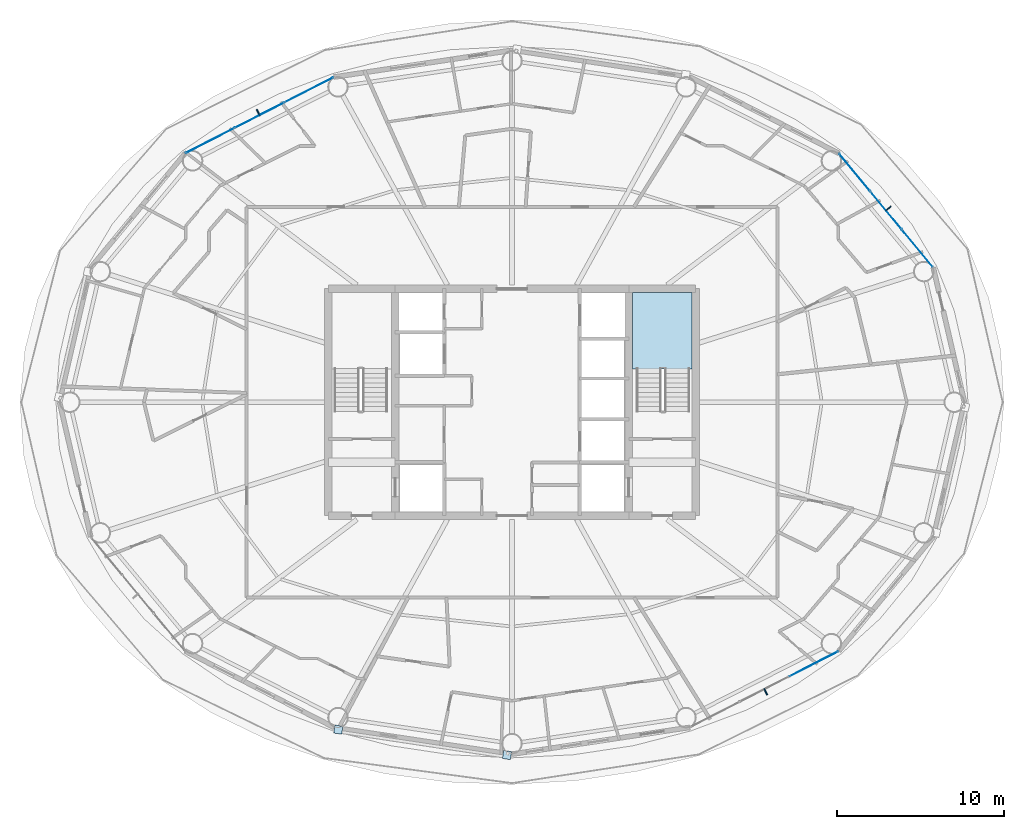
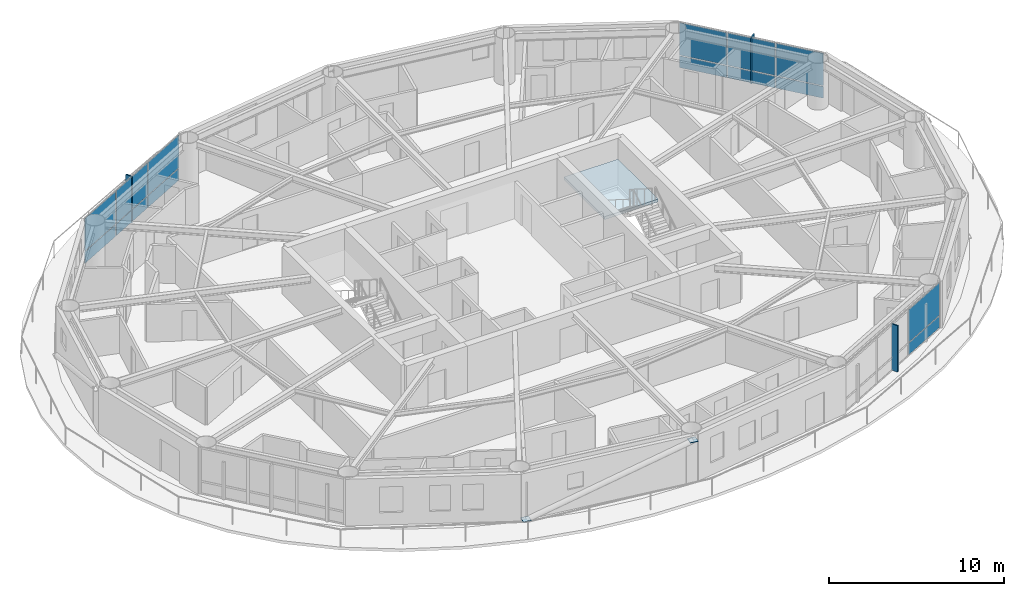
# One storey, part 19 of 28: 19 plates, 1 slab, 4 elements without a shape of their own.
"""IFC4 building model written with IfcOpenShell, lengths in metres."""

from ifc_helpers import new_model, si_unit, direction, frame, origin, origin_2d, place, context, subcontext, project, spatial, polyline, rectangle, outline, extrude, material, layer, layer_set, type_object, element, aggregate, save


model = new_model("IFC4")

# Units and contexts
model_context = context("Model", 3, precision=1e-05, world=origin(), true_north=direction((0.0, 1.0)))
body_context = subcontext(model_context, "Body", "Model", "MODEL_VIEW")
ifc_project = project(units=[si_unit("LENGTHUNIT", "METRE"), si_unit("AREAUNIT", "SQUARE_METRE"), si_unit("VOLUMEUNIT", "CUBIC_METRE"), si_unit("PLANEANGLEUNIT", "RADIAN"), si_unit("MASSUNIT", "GRAM", prefix="KILO")], contexts=[model_context])

# Site, building, storey
site_placement = place(None, origin())
site = spatial("IfcSite", under=ifc_project, at=site_placement, CompositionType="ELEMENT")
building_placement = place(site_placement, origin())
building = spatial("IfcBuilding", under=site, at=building_placement, Name="Sarneth Arch Tower", CompositionType="ELEMENT")
storey_placement = place(building_placement, frame((0.0, 0.0, 197.39990234375)))
storey = spatial("IfcBuildingStorey", under=building, at=storey_placement, Name="L50", CompositionType="ELEMENT", Elevation=197.39990234375)

# Curtain wall, plates
ifc_material_1 = material(Name="Anodised aluminium Type AA25 and solar-control low-e laminated IGU", Category="aluminium")
ifc_layer_1 = layer(ifc_material_1, 0.169921875)
ifc_layer_set_1 = layer_set([ifc_layer_1], Name="Anodised aluminium Type AA25 and solar-control low-e laminated IGU")
curtain_wall_type = type_object("IfcCurtainWallType", Name="CW-RES-MID", PredefinedType="NOTDEFINED", material=ifc_layer_set_1)
curtain_wall_1_placement = place(storey_placement, origin())
curtain_wall_1 = element("IfcCurtainWall", 1, at=curtain_wall_1_placement, inside=storey, type_object=curtain_wall_type, Name="L50 Unitised curtain wall facet 02", PredefinedType="NOTDEFINED")
ifc_material_2 = material(Name="Solar-control low-e laminated IGU", Category="glass")
ifc_layer_2 = layer(ifc_material_2, 0.028076171875)
ifc_layer_set_2 = layer_set([ifc_layer_2], Name="Solar-control low-e laminated IGU")
plate_type_1 = type_object("IfcPlateType", Name="CW-PANEL", PredefinedType="CURTAIN_PANEL", material=ifc_layer_set_2)
plate_1_placement = place(storey_placement, frame((72.280029296875, 51.21826171875, 0.06005859375), z_axis=(0.0, 0.0, 1.0), x_axis=(-0.637330298558, 0.770590741276, 0.0)))
plate_1 = element("IfcPlate", 2, at=plate_1_placement, type_object=plate_type_1, Name="Curtain wall glazed vision pane CW-L50-F02/P00-00", PredefinedType="CURTAIN_PANEL", context=body_context, shape_type="SweptSolid", body=[
    extrude(rectangle(XDim=2.8681640625, YDim=0.028076171875, at=origin_2d()), origin(), (0.0, 0.0, 1.0), 0.81005859375),
])
plate_2_placement = place(storey_placement, frame((72.280029296875, 51.21826171875, 0.93017578125), z_axis=(0.0, 0.0, 1.0), x_axis=(-0.637330298558, 0.770590741276, 0.0)))
plate_2 = element("IfcPlate", 3, at=plate_2_placement, type_object=plate_type_1, Name="Curtain wall glazed vision pane CW-L50-F02/P00-01", PredefinedType="CURTAIN_PANEL", context=body_context, shape_type="SweptSolid", body=[
    extrude(rectangle(XDim=2.8681640625, YDim=0.028076171875, at=origin_2d()), origin(), (0.0, 0.0, 1.0), 2.260009765625),
])
plate_3_placement = place(storey_placement, frame((70.404296875, 53.486328125, 0.06005859375), z_axis=(0.0, 0.0, 1.0), x_axis=(-0.637330298558, 0.770590741276, 0.0)))
plate_3 = element("IfcPlate", 4, at=plate_3_placement, type_object=plate_type_1, Name="Curtain wall glazed vision pane CW-L50-F02/P01-00", PredefinedType="CURTAIN_PANEL", context=body_context, shape_type="SweptSolid", body=[
    extrude(rectangle(XDim=2.898193359375, YDim=0.028076171875, at=origin_2d()), origin(), (0.0, 0.0, 1.0), 0.81005859375),
])
plate_4_placement = place(storey_placement, frame((70.404296875, 53.486328125, 0.93017578125), z_axis=(0.0, 0.0, 1.0), x_axis=(-0.637330298558, 0.770590741276, 0.0)))
plate_4 = element("IfcPlate", 5, at=plate_4_placement, type_object=plate_type_1, Name="Curtain wall glazed vision pane CW-L50-F02/P01-01", PredefinedType="CURTAIN_PANEL", context=body_context, shape_type="SweptSolid", body=[
    extrude(rectangle(XDim=2.898193359375, YDim=0.028076171875, at=origin_2d()), origin(), (0.0, 0.0, 1.0), 2.260009765625),
])
plate_5_placement = place(storey_placement, frame((68.5283203125, 55.75439453125, 0.06005859375), z_axis=(0.0, 0.0, 1.0), x_axis=(-0.637330298558, 0.770590741276, 0.0)))
plate_5 = element("IfcPlate", 6, at=plate_5_placement, type_object=plate_type_1, Name="Curtain wall glazed vision pane CW-L50-F02/P02-00", PredefinedType="CURTAIN_PANEL", context=body_context, shape_type="SweptSolid", body=[
    extrude(rectangle(XDim=2.8681640625, YDim=0.028076171875, at=origin_2d()), origin(), (0.0, 0.0, 1.0), 0.81005859375),
])
plate_6_placement = place(storey_placement, frame((68.5283203125, 55.75439453125, 0.93017578125), z_axis=(0.0, 0.0, 1.0), x_axis=(-0.637330298558, 0.770590741276, 0.0)))
plate_6 = element("IfcPlate", 7, at=plate_6_placement, type_object=plate_type_1, Name="Curtain wall glazed vision pane CW-L50-F02/P02-01", PredefinedType="CURTAIN_PANEL", context=body_context, shape_type="SweptSolid", body=[
    extrude(rectangle(XDim=2.8681640625, YDim=0.028076171875, at=origin_2d()), origin(), (0.0, 0.0, 1.0), 2.260009765625),
])
aggregate(curtain_wall_1, [plate_1, plate_2, plate_3, plate_4, plate_5, plate_6])

curtain_wall_2_placement = place(storey_placement, origin())
curtain_wall_2 = element("IfcCurtainWall", 8, at=curtain_wall_2_placement, inside=storey, type_object=curtain_wall_type, Name="L50 Unitised curtain wall facet 06", PredefinedType="NOTDEFINED")
plate_7_placement = place(storey_placement, frame((35.83837890625, 60.70703125, 0.06005859375), z_axis=(0.0, 0.0, 1.0), x_axis=(-0.88987293003, -0.456208470329, 0.0)))
plate_7 = element("IfcPlate", 9, at=plate_7_placement, type_object=plate_type_1, Name="Curtain wall glazed vision pane CW-L50-F06/P00-00", PredefinedType="CURTAIN_PANEL", context=body_context, shape_type="SweptSolid", body=[
    extrude(rectangle(XDim=3.248779296875, YDim=0.028076171875, at=origin_2d()), origin(), (0.0, 0.0, 1.0), 0.81005859375),
])
plate_8_placement = place(storey_placement, frame((35.83837890625, 60.70703125, 0.93017578125), z_axis=(0.0, 0.0, 1.0), x_axis=(-0.88987293003, -0.456208470329, 0.0)))
plate_8 = element("IfcPlate", 10, at=plate_8_placement, type_object=plate_type_1, Name="Curtain wall glazed vision pane CW-L50-F06/P00-01", PredefinedType="CURTAIN_PANEL", context=body_context, shape_type="SweptSolid", body=[
    extrude(rectangle(XDim=3.248779296875, YDim=0.028076171875, at=origin_2d()), origin(), (0.0, 0.0, 1.0), 2.260009765625),
])
plate_9_placement = place(storey_placement, frame((32.880615234375, 59.190673828125, 0.06005859375), z_axis=(0.0, 0.0, 1.0), x_axis=(-0.88987293003, -0.456208470329, 0.0)))
plate_9 = element("IfcPlate", 11, at=plate_9_placement, type_object=plate_type_1, Name="Curtain wall glazed vision pane CW-L50-F06/P01-00", PredefinedType="CURTAIN_PANEL", context=body_context, shape_type="SweptSolid", body=[
    extrude(rectangle(XDim=3.27880859375, YDim=0.028076171875, at=origin_2d()), origin(), (0.0, 0.0, 1.0), 0.81005859375),
])
plate_10_placement = place(storey_placement, frame((32.880615234375, 59.190673828125, 0.93017578125), z_axis=(0.0, 0.0, 1.0), x_axis=(-0.88987293003, -0.456208470329, 0.0)))
plate_10 = element("IfcPlate", 12, at=plate_10_placement, type_object=plate_type_1, Name="Curtain wall glazed vision pane CW-L50-F06/P01-01", PredefinedType="CURTAIN_PANEL", context=body_context, shape_type="SweptSolid", body=[
    extrude(rectangle(XDim=3.27880859375, YDim=0.028076171875, at=origin_2d()), origin(), (0.0, 0.0, 1.0), 2.260009765625),
])
plate_11_placement = place(storey_placement, frame((29.9228515625, 57.67431640625, 0.06005859375), z_axis=(0.0, 0.0, 1.0), x_axis=(-0.88987293003, -0.456208470329, 0.0)))
plate_11 = element("IfcPlate", 13, at=plate_11_placement, type_object=plate_type_1, Name="Curtain wall glazed vision pane CW-L50-F06/P02-00", PredefinedType="CURTAIN_PANEL", context=body_context, shape_type="SweptSolid", body=[
    extrude(rectangle(XDim=3.248779296875, YDim=0.028076171875, at=origin_2d()), origin(), (0.0, 0.0, 1.0), 0.81005859375),
])
plate_12_placement = place(storey_placement, frame((29.9228515625, 57.67431640625, 0.93017578125), z_axis=(0.0, 0.0, 1.0), x_axis=(-0.88987293003, -0.456208470329, 0.0)))
plate_12 = element("IfcPlate", 14, at=plate_12_placement, type_object=plate_type_1, Name="Curtain wall glazed vision pane CW-L50-F06/P02-01", PredefinedType="CURTAIN_PANEL", context=body_context, shape_type="SweptSolid", body=[
    extrude(rectangle(XDim=3.248779296875, YDim=0.028076171875, at=origin_2d()), origin(), (0.0, 0.0, 1.0), 2.260009765625),
])
aggregate(curtain_wall_2, [plate_7, plate_8, plate_9, plate_10, plate_11, plate_12])

curtain_wall_3_placement = place(storey_placement, origin())
curtain_wall_3 = element("IfcCurtainWall", 15, at=curtain_wall_3_placement, inside=storey, type_object=curtain_wall_type, Name="L50 Unitised curtain wall facet 14", PredefinedType="NOTDEFINED")
plate_13_placement = place(storey_placement, frame((66.0771484375, 26.32568359375, 0.06005859375), z_axis=(0.0, 0.0, 1.0), x_axis=(0.88987293003, 0.456208470329, 0.0)))
plate_13 = element("IfcPlate", 16, at=plate_13_placement, type_object=plate_type_1, Name="Curtain wall glazed vision pane CW-L50-F14/P02-00", PredefinedType="CURTAIN_PANEL", context=body_context, shape_type="SweptSolid", body=[
    extrude(rectangle(XDim=3.248779296875, YDim=0.028076171875, at=origin_2d()), origin(), (0.0, 0.0, 1.0), 0.81005859375),
])
plate_14_placement = place(storey_placement, frame((66.0771484375, 26.32568359375, 0.93017578125), z_axis=(0.0, 0.0, 1.0), x_axis=(0.88987293003, 0.456208470329, 0.0)))
plate_14 = element("IfcPlate", 17, at=plate_14_placement, type_object=plate_type_1, Name="Curtain wall glazed vision pane CW-L50-F14/P02-01", PredefinedType="CURTAIN_PANEL", context=body_context, shape_type="SweptSolid", body=[
    extrude(rectangle(XDim=3.248779296875, YDim=0.028076171875, at=origin_2d()), origin(), (0.0, 0.0, 1.0), 2.260009765625),
])
aggregate(curtain_wall_3, [plate_13, plate_14])

# Plates
ifc_material_3 = material(Name="Steel S355", Category="steel")
ifc_layer_3 = layer(ifc_material_3, 0.035888671875)
ifc_layer_set_3 = layer_set([ifc_layer_3], Name="Steel S355")
plate_type_2 = type_object("IfcPlateType", Name="PLT-GUSSET-30", PredefinedType="SHEET", material=ifc_layer_set_3)
for number, where, z_axis, x_axis, name in (
    (18, (37.595703125, 22.387451171875, 0.001953125), (0.0, 0.0, 1.0), (0.98883454203, -0.149017611339, 0.0), "Steel end cap plate GP-1"),
    (19, (47.703369140625, 20.86474609375, 2.90283203125), (0.0, 0.0, 1.0), (0.98883454203, -0.149017611339, 0.0), "Steel end cap plate GP-1"),
):
    element("IfcPlate", number, at=place(storey_placement, frame(where, z_axis=z_axis, x_axis=x_axis)), inside=storey, type_object=plate_type_2, Name=name, PredefinedType="SHEET", context=body_context, shape_type="SweptSolid", body=[
        extrude(rectangle(XDim=0.486083984375, YDim=0.486083984375, at=origin_2d()), origin(), (0.0, 0.0, 1.0), 0.035888671875),
    ])
ifc_material_4 = material(Name="Extruded glazed terracotta baguette fin on Aluminium 6063-T6 carrier", Category="masonry")
ifc_layer_4 = layer(ifc_material_4, 0.080078125)
ifc_layer_set_4 = layer_set([ifc_layer_4], Name="Extruded glazed terracotta baguette fin on Aluminium 6063-T6 carrier")
plate_type_3 = type_object("IfcPlateType", Name="SHADE-TERRA-FIN", PredefinedType="SHEET", material=ifc_layer_set_4)
for number, where, z_axis, x_axis, name in (
    (20, (70.53515625, 53.5947265625, 0.010009765625), (0.0, 0.0, 1.0), (0.770624482513, 0.637289500111, 0.0), "L50 Terracotta vertical shading fin 02"),
    (21, (32.802978515625, 59.341796875, 0.010009765625), (0.0, 0.0, 1.0), (-0.456166281949, 0.889894557357, 0.0), "L50 Terracotta vertical shading fin 06"),
    (22, (63.197021484375, 24.658203125, 0.010009765625), (0.0, 0.0, 1.0), (0.456166281949, -0.889894557357, 0.0), "L50 Terracotta vertical shading fin 14"),
):
    element("IfcPlate", number, at=place(storey_placement, frame(where, z_axis=z_axis, x_axis=x_axis)), inside=storey, type_object=plate_type_3, Name=name, PredefinedType="SHEET", context=body_context, shape_type="SweptSolid", body=[
        extrude(rectangle(XDim=0.419921875, YDim=0.080078125, at=origin_2d()), origin(), (0.0, 0.0, 1.0), 3.22998046875),
    ])

# Stair, slab
ifc_material_5 = material(Name="Concrete C50/60", Category="concrete")
stair_type = type_object("IfcStairType", Name="STAIR-CORE-RC", PredefinedType="HALF_TURN_STAIR", material=ifc_material_5)
stair_placement = place(storey_placement, origin())
stair = element("IfcStair", 23, at=stair_placement, inside=storey, type_object=stair_type, Name="L50 Core Exit Stair 2", PredefinedType="HALF_TURN_STAIR")
ifc_material_6 = material(Name="Concrete C50/60", Category="concrete")
ifc_layer_5 = layer(ifc_material_6, 0.199951171875)
ifc_layer_set_5 = layer_set([ifc_layer_5], Name="Concrete C50/60")
slab_type = type_object("IfcSlabType", Name="SLAB-LANDING-200", PredefinedType="LANDING", material=ifc_layer_set_5)
slab_placement = place(storey_placement, frame((0.0, 0.0, 1.60009765625)))
slab = element("IfcSlab", 24, at=slab_placement, type_object=slab_type, Name="ST-2 landing 1", PredefinedType="LANDING", context=body_context, shape_type="SweptSolid", body=[
    extrude(outline(polyline([(55.22509765625, 43.985107421875), (58.77490234375, 43.985107421875), (58.77490234375, 48.574951171875), (55.22509765625, 48.574951171875), (55.22509765625, 43.985107421875)])), origin(), (0.0, 0.0, 1.0), 0.199951171875),
])
aggregate(stair, [slab])

save(model, "model.ifc")
